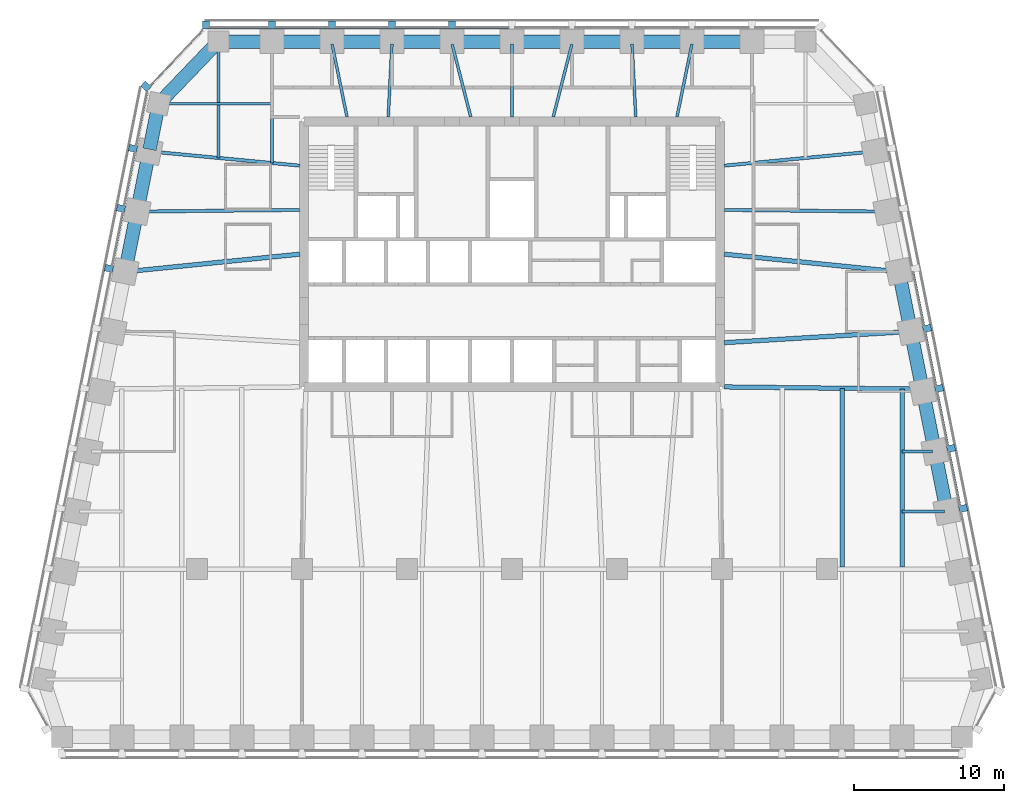
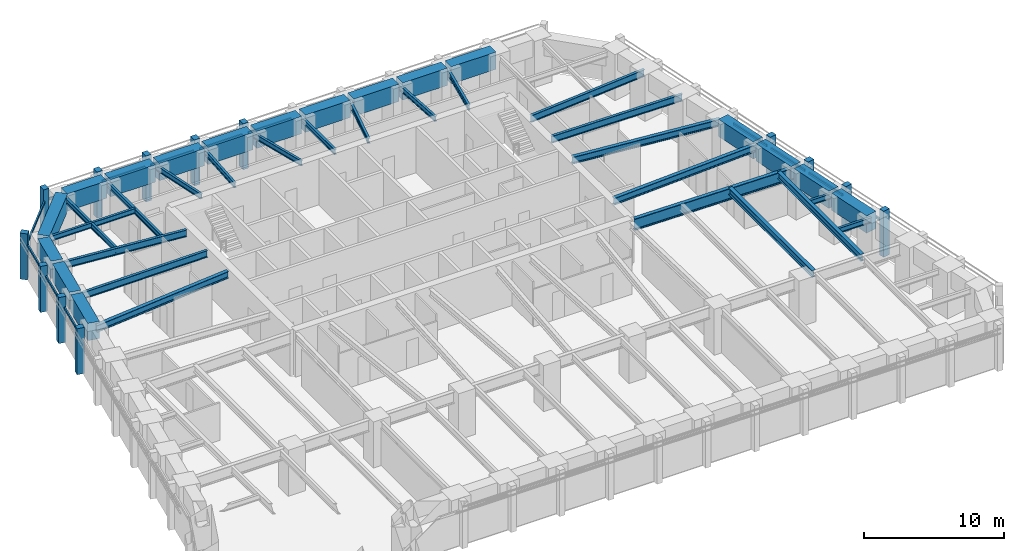
# One storey, part 3 of 10: 39 beams, 26 members, 4 elements without a shape of their own.
"""IFC4 building model written with IfcOpenShell, lengths in metres."""

from ifc_helpers import new_model, si_unit, direction, frame, origin, origin_2d, place, context, subcontext, project, spatial, rectangle, i_section, extrude, material, material_profile, profile_set, type_object, element, aggregate, save


model = new_model("IFC4")

# Units and contexts
model_context = context("Model", 3, precision=1e-05, world=origin(), true_north=direction((0.0, 1.0)))
body_context = subcontext(model_context, "Body", "Model", "MODEL_VIEW")
ifc_project = project(units=[si_unit("LENGTHUNIT", "METRE"), si_unit("AREAUNIT", "SQUARE_METRE"), si_unit("VOLUMEUNIT", "CUBIC_METRE"), si_unit("PLANEANGLEUNIT", "RADIAN"), si_unit("MASSUNIT", "GRAM", prefix="KILO")], contexts=[model_context])

# Site, building, storey
site_placement = place(None, origin())
site = spatial("IfcSite", under=ifc_project, at=site_placement, CompositionType="ELEMENT")
building_placement = place(site_placement, origin())
building = spatial("IfcBuilding", under=site, at=building_placement, Name="Isbrekke Arena Tower", CompositionType="ELEMENT")
storey_placement = place(building_placement, frame((0.0, 0.0, 222.0)))
storey = spatial("IfcBuildingStorey", under=building, at=storey_placement, Name="L51", CompositionType="ELEMENT", Elevation=222.0)

# Beams
ifc_material_1 = material(Name="Steel S355", Category="steel")
ifc_material_profile_1 = material_profile(ifc_material_1, i_section(OverallWidth=0.219970703125, OverallDepth=0.60009765625, WebThickness=0.011962890625, FlangeThickness=0.01904296875, FilletRadius=0.02392578125, at=origin_2d()), Name="IPE 600")
ifc_profile_set_1 = profile_set([ifc_material_profile_1], Name="Steel S355")
beam_type_1 = type_object("IfcBeamType", Name="B1 IPE 600", PredefinedType="BEAM", material=ifc_profile_set_1)
beam_1_placement = place(storey_placement, frame((24.83984375, 17.838134765625, 3.550048828125), z_axis=(-0.999945299061, 0.010459392202, 0.0), x_axis=(-0.010459392202, -0.999945299061, 0.0)))
element("IfcBeam", 1, at=beam_1_placement, inside=storey, type_object=beam_type_1, Name="B1 beam E-E09 L51", PredefinedType="BEAM", context=body_context, shape_type="SweptSolid", body=[
    extrude(i_section(OverallWidth=0.219970703125, OverallDepth=0.60009765625, WebThickness=0.011962890625, FlangeThickness=0.01904296875, FilletRadius=0.02392578125, at=origin_2d()), origin(), (0.0, 0.0, 1.0), 10.6904296875),
])
for number, where, z_axis, x_axis, name in (
    (2, (24.03076171875, 21.837158203125, 3.550048828125), (-0.99553133081, -0.094431823952, 0.0), (0.094431823952, -0.99553133081, 0.0), "B1 beam E-E10 L51"),
    (3, (-24.03076171875, 21.837158203125, 3.550048828125), (0.99553133081, -0.094431823952, 0.0), (0.094431823952, 0.99553133081, 0.0), "B1 beam E-W02 L51"),
):
    element("IfcBeam", number, at=place(storey_placement, frame(where, z_axis=z_axis, x_axis=x_axis)), inside=storey, type_object=beam_type_1, Name=name, PredefinedType="BEAM", context=body_context, shape_type="SweptSolid", body=[
        extrude(i_section(OverallWidth=0.219970703125, OverallDepth=0.60009765625, WebThickness=0.011962890625, FlangeThickness=0.01904296875, FilletRadius=0.02392578125, at=origin_2d()), origin(), (0.0, 0.0, 1.0), 9.92529296875),
    ])
beam_2_placement = place(storey_placement, frame((-24.83984375, 17.838134765625, 3.550048828125), z_axis=(0.999945299061, 0.010459392202, 0.0), x_axis=(-0.010459392202, 0.999945299061, 0.0)))
element("IfcBeam", 4, at=beam_2_placement, inside=storey, type_object=beam_type_1, Name="B1 beam E-W03 L51", PredefinedType="BEAM", context=body_context, shape_type="SweptSolid", body=[
    extrude(i_section(OverallWidth=0.219970703125, OverallDepth=0.60009765625, WebThickness=0.011962890625, FlangeThickness=0.01904296875, FilletRadius=0.02392578125, at=origin_2d()), origin(), (0.0, 0.0, 1.0), 10.6904296875),
])
ifc_material_2 = material(Name="Steel S355", Category="steel")
ifc_material_profile_2 = material_profile(ifc_material_2, i_section(OverallWidth=0.18994140625, OverallDepth=0.449951171875, WebThickness=0.009521484375, FlangeThickness=0.0146484375, FilletRadius=0.02099609375, at=origin_2d()), Name="IPE 450")
ifc_profile_set_2 = profile_set([ifc_material_profile_2], Name="Steel S355")
beam_type_2 = type_object("IfcBeamType", Name="B2 IPE 450", PredefinedType="BEAM", material=ifc_profile_set_2)
beam_3_placement = place(storey_placement, frame((28.841064453125, -2.161865234375, 3.625), z_axis=(-1.0, 0.0, 0.0), x_axis=(0.0, -1.0, 0.0)))
element("IfcBeam", 5, at=beam_3_placement, inside=storey, type_object=beam_type_2, Name="B2 beam E-E04 L51", PredefinedType="BEAM", context=body_context, shape_type="SweptSolid", body=[
    extrude(i_section(OverallWidth=0.18994140625, OverallDepth=0.449951171875, WebThickness=0.009521484375, FlangeThickness=0.0146484375, FilletRadius=0.02099609375, at=origin_2d()), origin(), (0.0, 0.0, 1.0), 2.841064453125),
])
beam_4_placement = place(storey_placement, frame((28.041015625, 1.838134765625, 3.625), z_axis=(-1.0, 0.0, 0.0), x_axis=(0.0, -1.0, 0.0)))
element("IfcBeam", 6, at=beam_4_placement, inside=storey, type_object=beam_type_2, Name="B2 beam E-E05 L51", PredefinedType="BEAM", context=body_context, shape_type="SweptSolid", body=[
    extrude(i_section(OverallWidth=0.18994140625, OverallDepth=0.449951171875, WebThickness=0.009521484375, FlangeThickness=0.0146484375, FilletRadius=0.02099609375, at=origin_2d()), origin(), (0.0, 0.0, 1.0), 2.041015625),
])
beam_5_placement = place(storey_placement, frame((-23.40283203125, 25.029296875, 3.625), z_axis=(1.0, 0.0, 0.0), x_axis=(0.0, 1.0, 0.0)))
element("IfcBeam", 7, at=beam_5_placement, inside=storey, type_object=beam_type_2, Name="B2 beam E-W01 L51", PredefinedType="BEAM", context=body_context, shape_type="SweptSolid", body=[
    extrude(i_section(OverallWidth=0.18994140625, OverallDepth=0.449951171875, WebThickness=0.009521484375, FlangeThickness=0.0146484375, FilletRadius=0.02099609375, at=origin_2d()), origin(), (0.0, 0.0, 1.0), 7.40283203125),
])
ifc_material_3 = material(Name="Steel S355", Category="steel")
ifc_material_profile_3 = material_profile(ifc_material_3, i_section(OverallWidth=0.18994140625, OverallDepth=0.449951171875, WebThickness=0.009521484375, FlangeThickness=0.0146484375, FilletRadius=0.02099609375, at=origin_2d()), Name="IPE 450")
ifc_profile_set_3 = profile_set([ifc_material_profile_3], Name="Steel S355")
beam_type_3 = type_object("IfcBeamType", Name="B3 IPE 450", PredefinedType="BEAM", material=ifc_profile_set_3)
beam_6_placement = place(storey_placement, frame((-16.0, 29.02490234375, 3.625), z_axis=(0.0, -1.0, 0.0), x_axis=(1.0, 0.0, 0.0)))
element("IfcBeam", 8, at=beam_6_placement, inside=storey, type_object=beam_type_3, Name="B3 beam N-N10 L51", PredefinedType="BEAM", context=body_context, shape_type="SweptSolid", body=[
    extrude(i_section(OverallWidth=0.18994140625, OverallDepth=0.449951171875, WebThickness=0.009521484375, FlangeThickness=0.0146484375, FilletRadius=0.02099609375, at=origin_2d()), origin(), (0.0, 0.0, 1.0), 7.949462890625),
])
beam_7_placement = place(storey_placement, frame((-19.574951171875, 29.02490234375, 3.625), z_axis=(0.0, -1.0, 0.0), x_axis=(1.0, 0.0, 0.0)))
element("IfcBeam", 9, at=beam_7_placement, inside=storey, type_object=beam_type_3, Name="B3 beam N-N11 L51", PredefinedType="BEAM", context=body_context, shape_type="SweptSolid", body=[
    extrude(i_section(OverallWidth=0.18994140625, OverallDepth=0.449951171875, WebThickness=0.009521484375, FlangeThickness=0.0146484375, FilletRadius=0.02099609375, at=origin_2d()), origin(), (0.0, 0.0, 1.0), 7.6103515625),
])
beam_8_placement = place(storey_placement, frame((11.99609375, 29.00634765625, 3.625), z_axis=(-0.200924755878, -0.979606677435, 0.0), x_axis=(0.979606677435, -0.200924755878, 0.0)))
element("IfcBeam", 10, at=beam_8_placement, inside=storey, type_object=beam_type_3, Name="B3 beam N-N03 L51", PredefinedType="BEAM", context=body_context, shape_type="SweptSolid", body=[
    extrude(i_section(OverallWidth=0.18994140625, OverallDepth=0.449951171875, WebThickness=0.009521484375, FlangeThickness=0.0146484375, FilletRadius=0.02099609375, at=origin_2d()), origin(), (0.0, 0.0, 1.0), 4.95751953125),
])
beam_9_placement = place(storey_placement, frame((8.000244140625, 29.02001953125, 3.625), z_axis=(0.051216032312, -0.998687597817, 0.0), x_axis=(0.998687597817, 0.051216032312, 0.0)))
element("IfcBeam", 11, at=beam_9_placement, inside=storey, type_object=beam_type_3, Name="B3 beam N-N04 L51", PredefinedType="BEAM", context=body_context, shape_type="SweptSolid", body=[
    extrude(i_section(OverallWidth=0.18994140625, OverallDepth=0.449951171875, WebThickness=0.009521484375, FlangeThickness=0.0146484375, FilletRadius=0.02099609375, at=origin_2d()), origin(), (0.0, 0.0, 1.0), 4.87646484375),
])
beam_10_placement = place(storey_placement, frame((3.994140625, 29.002197265625, 3.625), z_axis=(-0.248368314686, -0.968665670012, 0.0), x_axis=(0.968665670012, -0.248368314686, 0.0)))
element("IfcBeam", 12, at=beam_10_placement, inside=storey, type_object=beam_type_3, Name="B3 beam N-N05 L51", PredefinedType="BEAM", context=body_context, shape_type="SweptSolid", body=[
    extrude(i_section(OverallWidth=0.18994140625, OverallDepth=0.449951171875, WebThickness=0.009521484375, FlangeThickness=0.0146484375, FilletRadius=0.02099609375, at=origin_2d()), origin(), (0.0, 0.0, 1.0), 5.00927734375),
])
beam_11_placement = place(storey_placement, frame((0.0, 29.02490234375, 3.625), z_axis=(0.0, -1.0, 0.0), x_axis=(1.0, 0.0, 0.0)))
element("IfcBeam", 13, at=beam_11_placement, inside=storey, type_object=beam_type_3, Name="B3 beam N-N06 L51", PredefinedType="BEAM", context=body_context, shape_type="SweptSolid", body=[
    extrude(i_section(OverallWidth=0.18994140625, OverallDepth=0.449951171875, WebThickness=0.009521484375, FlangeThickness=0.0146484375, FilletRadius=0.02099609375, at=origin_2d()), origin(), (0.0, 0.0, 1.0), 4.875),
])
beam_12_placement = place(storey_placement, frame((-3.994140625, 29.002197265625, 3.625), z_axis=(0.248368314686, -0.968665670012, 0.0), x_axis=(0.968665670012, 0.248368314686, 0.0)))
element("IfcBeam", 14, at=beam_12_placement, inside=storey, type_object=beam_type_3, Name="B3 beam N-N07 L51", PredefinedType="BEAM", context=body_context, shape_type="SweptSolid", body=[
    extrude(i_section(OverallWidth=0.18994140625, OverallDepth=0.449951171875, WebThickness=0.009521484375, FlangeThickness=0.0146484375, FilletRadius=0.02099609375, at=origin_2d()), origin(), (0.0, 0.0, 1.0), 5.00927734375),
])
beam_13_placement = place(storey_placement, frame((-8.000244140625, 29.02001953125, 3.625), z_axis=(-0.051216032312, -0.998687597817, 0.0), x_axis=(0.998687597817, -0.051216032312, 0.0)))
element("IfcBeam", 15, at=beam_13_placement, inside=storey, type_object=beam_type_3, Name="B3 beam N-N08 L51", PredefinedType="BEAM", context=body_context, shape_type="SweptSolid", body=[
    extrude(i_section(OverallWidth=0.18994140625, OverallDepth=0.449951171875, WebThickness=0.009521484375, FlangeThickness=0.0146484375, FilletRadius=0.02099609375, at=origin_2d()), origin(), (0.0, 0.0, 1.0), 4.87646484375),
])
beam_14_placement = place(storey_placement, frame((-11.99609375, 29.00634765625, 3.625), z_axis=(0.200924755878, -0.979606677435, 0.0), x_axis=(0.979606677435, 0.200924755878, 0.0)))
element("IfcBeam", 16, at=beam_14_placement, inside=storey, type_object=beam_type_3, Name="B3 beam N-N09 L51", PredefinedType="BEAM", context=body_context, shape_type="SweptSolid", body=[
    extrude(i_section(OverallWidth=0.18994140625, OverallDepth=0.449951171875, WebThickness=0.009521484375, FlangeThickness=0.0146484375, FilletRadius=0.02099609375, at=origin_2d()), origin(), (0.0, 0.0, 1.0), 4.95751953125),
])
ifc_material_4 = material(Name="Steel S355", Category="steel")
ifc_material_profile_4 = material_profile(ifc_material_4, i_section(OverallWidth=0.300048828125, OverallDepth=0.60009765625, WebThickness=0.015380859375, FlangeThickness=0.030029296875, FilletRadius=0.027099609375, at=origin_2d()), Name="HEB 600")
ifc_profile_set_4 = profile_set([ifc_material_profile_4], Name="Steel S355")
beam_type_4 = type_object("IfcBeamType", Name="B7 HEB 600", PredefinedType="BEAM", material=ifc_profile_set_4)
beam_15_placement = place(storey_placement, frame((22.0, -5.84912109375, 3.550048828125), z_axis=(0.0, 1.0, 0.0), x_axis=(-1.0, 0.0, 0.0)))
element("IfcBeam", 17, at=beam_15_placement, inside=storey, type_object=beam_type_4, Name="B7 beam C-M13 L51", PredefinedType="BEAM", context=body_context, shape_type="SweptSolid", body=[
    extrude(i_section(OverallWidth=0.300048828125, OverallDepth=0.60009765625, WebThickness=0.015380859375, FlangeThickness=0.030029296875, FilletRadius=0.027099609375, at=origin_2d()), origin(), (0.0, 0.0, 1.0), 11.91015625),
])
beam_16_placement = place(storey_placement, frame((26.0, -5.84912109375, 3.550048828125), z_axis=(0.0, 1.0, 0.0), x_axis=(-1.0, 0.0, 0.0)))
element("IfcBeam", 18, at=beam_16_placement, inside=storey, type_object=beam_type_4, Name="B7 beam C-M14 L51", PredefinedType="BEAM", context=body_context, shape_type="SweptSolid", body=[
    extrude(i_section(OverallWidth=0.300048828125, OverallDepth=0.60009765625, WebThickness=0.015380859375, FlangeThickness=0.030029296875, FilletRadius=0.027099609375, at=origin_2d()), origin(), (0.0, 0.0, 1.0), 11.864990234375),
])
beam_17_placement = place(storey_placement, frame((26.43212890625, 9.837646484375, 3.550048828125), z_axis=(-0.998201854902, -0.059942112659, 0.0), x_axis=(0.059942112659, -0.998201854902, 0.0)))
element("IfcBeam", 19, at=beam_17_placement, inside=storey, type_object=beam_type_4, Name="B7 beam E-E07 L51", PredefinedType="BEAM", context=body_context, shape_type="SweptSolid", body=[
    extrude(i_section(OverallWidth=0.300048828125, OverallDepth=0.60009765625, WebThickness=0.015380859375, FlangeThickness=0.030029296875, FilletRadius=0.027099609375, at=origin_2d()), origin(), (0.0, 0.0, 1.0), 12.304443359375),
])
for number, where, z_axis, x_axis, name in (
    (20, (25.6259765625, 13.83984375, 3.550048828125), (-0.994928891111, 0.100580821396, 0.0), (-0.100580821396, -0.994928891111, 0.0), "B7 beam E-E08 L51"),
    (21, (-25.6259765625, 13.83984375, 3.550048828125), (0.994928891111, 0.100580821396, 0.0), (-0.100580821396, 0.994928891111, 0.0), "B7 beam E-W04 L51"),
):
    element("IfcBeam", number, at=place(storey_placement, frame(where, z_axis=z_axis, x_axis=x_axis)), inside=storey, type_object=beam_type_4, Name=name, PredefinedType="BEAM", context=body_context, shape_type="SweptSolid", body=[
        extrude(i_section(OverallWidth=0.300048828125, OverallDepth=0.60009765625, WebThickness=0.015380859375, FlangeThickness=0.030029296875, FilletRadius=0.027099609375, at=origin_2d()), origin(), (0.0, 0.0, 1.0), 11.53466796875),
    ])

# Curtain wall, members
ifc_material_5 = material(Name="Glazed aluminium curtain wall", Category="aluminium")
curtain_wall_type = type_object("IfcCurtainWallType", Name="CWH TOWER CURTAIN WALL HIGH ZONE", PredefinedType="USERDEFINED", material=ifc_material_5)
curtain_wall_1_placement = place(storey_placement, origin())
curtain_wall_1 = element("IfcCurtainWall", 22, at=curtain_wall_1_placement, inside=storey, type_object=curtain_wall_type, Name="CWH curtain wall L51-E", ObjectType="TOWER CURTAIN WALL HIGH ZONE", PredefinedType="USERDEFINED")
ifc_material_6 = material(Name="Aluminium mullion, pale brick slip cladding", Category="masonry")
ifc_material_profile_5 = material_profile(ifc_material_6, rectangle(XDim=0.449951171875, YDim=0.550048828125, at=origin_2d()), Name="PIER 450X550")
ifc_profile_set_5 = profile_set([ifc_material_profile_5], Name="Aluminium mullion, pale brick slip cladding")
member_type_1 = type_object("IfcMemberType", Name="CWH-M PIER MULLION 450 x 550", PredefinedType="MULLION", material=ifc_profile_set_5)
member_1_placement = place(storey_placement, frame((30.069580078125, -1.946044921875, 0.0), z_axis=(0.0, 0.0, 1.0), x_axis=(-0.196116135138, 0.980580675691, 0.0)))
member_1 = element("IfcMember", 23, at=member_1_placement, type_object=member_type_1, Name="CWH-M mullion 3", PredefinedType="MULLION", context=body_context, shape_type="SweptSolid", body=[
    extrude(rectangle(XDim=0.449951171875, YDim=0.550048828125, at=origin_2d()), origin(), (0.0, 0.0, 1.0), 4.0),
])
member_2_placement = place(storey_placement, frame((29.269775390625, 2.053955078125, 0.0), z_axis=(0.0, 0.0, 1.0), x_axis=(-0.196116135138, 0.980580675691, 0.0)))
member_2 = element("IfcMember", 24, at=member_2_placement, type_object=member_type_1, Name="CWH-M mullion 4", PredefinedType="MULLION", context=body_context, shape_type="SweptSolid", body=[
    extrude(rectangle(XDim=0.449951171875, YDim=0.550048828125, at=origin_2d()), origin(), (0.0, 0.0, 1.0), 4.0),
])
member_3_placement = place(storey_placement, frame((28.4697265625, 6.053955078125, 0.0), z_axis=(0.0, 0.0, 1.0), x_axis=(-0.196116135138, 0.980580675691, 0.0)))
member_3 = element("IfcMember", 25, at=member_3_placement, type_object=member_type_1, Name="CWH-M mullion 5", PredefinedType="MULLION", context=body_context, shape_type="SweptSolid", body=[
    extrude(rectangle(XDim=0.449951171875, YDim=0.550048828125, at=origin_2d()), origin(), (0.0, 0.0, 1.0), 4.0),
])
member_4_placement = place(storey_placement, frame((27.669677734375, 10.053955078125, 0.0), z_axis=(0.0, 0.0, 1.0), x_axis=(-0.196116135138, 0.980580675691, 0.0)))
member_4 = element("IfcMember", 26, at=member_4_placement, type_object=member_type_1, Name="CWH-M mullion 6", PredefinedType="MULLION", context=body_context, shape_type="SweptSolid", body=[
    extrude(rectangle(XDim=0.449951171875, YDim=0.550048828125, at=origin_2d()), origin(), (0.0, 0.0, 1.0), 4.0),
])

curtain_wall_2_placement = place(storey_placement, origin())
curtain_wall_2 = element("IfcCurtainWall", 27, at=curtain_wall_2_placement, inside=storey, type_object=curtain_wall_type, Name="CWH curtain wall L51-N", ObjectType="TOWER CURTAIN WALL HIGH ZONE", PredefinedType="USERDEFINED")
member_5_placement = place(storey_placement, frame((-4.0, 30.27490234375, 0.0), z_axis=(0.0, 0.0, 1.0), x_axis=(-1.0, 0.0, 0.0)))
member_5 = element("IfcMember", 28, at=member_5_placement, type_object=member_type_1, Name="CWH-M mullion 6", PredefinedType="MULLION", context=body_context, shape_type="SweptSolid", body=[
    extrude(rectangle(XDim=0.449951171875, YDim=0.550048828125, at=origin_2d()), origin(), (0.0, 0.0, 1.0), 4.0),
])
member_6_placement = place(storey_placement, frame((-8.0, 30.27490234375, 0.0), z_axis=(0.0, 0.0, 1.0), x_axis=(-1.0, 0.0, 0.0)))
member_6 = element("IfcMember", 29, at=member_6_placement, type_object=member_type_1, Name="CWH-M mullion 7", PredefinedType="MULLION", context=body_context, shape_type="SweptSolid", body=[
    extrude(rectangle(XDim=0.449951171875, YDim=0.550048828125, at=origin_2d()), origin(), (0.0, 0.0, 1.0), 4.0),
])
member_7_placement = place(storey_placement, frame((-12.0, 30.27490234375, 0.0), z_axis=(0.0, 0.0, 1.0), x_axis=(-1.0, 0.0, 0.0)))
member_7 = element("IfcMember", 30, at=member_7_placement, type_object=member_type_1, Name="CWH-M mullion 8", PredefinedType="MULLION", context=body_context, shape_type="SweptSolid", body=[
    extrude(rectangle(XDim=0.449951171875, YDim=0.550048828125, at=origin_2d()), origin(), (0.0, 0.0, 1.0), 4.0),
])
member_8_placement = place(storey_placement, frame((-16.0, 30.27490234375, 0.0), z_axis=(0.0, 0.0, 1.0), x_axis=(-1.0, 0.0, 0.0)))
member_8 = element("IfcMember", 31, at=member_8_placement, type_object=member_type_1, Name="CWH-M mullion 9", PredefinedType="MULLION", context=body_context, shape_type="SweptSolid", body=[
    extrude(rectangle(XDim=0.449951171875, YDim=0.550048828125, at=origin_2d()), origin(), (0.0, 0.0, 1.0), 4.0),
])
member_9_placement = place(storey_placement, frame((-20.39990234375, 30.27490234375, 0.0), z_axis=(0.0, 0.0, 1.0), x_axis=(-1.0, 0.0, 0.0)))
member_9 = element("IfcMember", 32, at=member_9_placement, type_object=member_type_1, Name="CWH-M mullion 10", PredefinedType="MULLION", context=body_context, shape_type="SweptSolid", body=[
    extrude(rectangle(XDim=0.449951171875, YDim=0.550048828125, at=origin_2d()), origin(), (0.0, 0.0, 1.0), 4.0),
])

# Curtain wall, member
curtain_wall_3_placement = place(storey_placement, origin())
curtain_wall_3 = element("IfcCurtainWall", 33, at=curtain_wall_3_placement, inside=storey, type_object=curtain_wall_type, Name="CWH curtain wall L51-NW", ObjectType="TOWER CURTAIN WALL HIGH ZONE", PredefinedType="USERDEFINED")
member_10_placement = place(storey_placement, frame((-24.3994140625, 26.189453125, 0.0), z_axis=(0.0, 0.0, 1.0), x_axis=(-0.68874946192, -0.72499943359, 0.0)))
member_10 = element("IfcMember", 34, at=member_10_placement, type_object=member_type_1, Name="CWH-M mullion 1", PredefinedType="MULLION", context=body_context, shape_type="SweptSolid", body=[
    extrude(rectangle(XDim=0.449951171875, YDim=0.550048828125, at=origin_2d()), origin(), (0.0, 0.0, 1.0), 4.0),
])

# Curtain wall, members
curtain_wall_4_placement = place(storey_placement, origin())
curtain_wall_4 = element("IfcCurtainWall", 35, at=curtain_wall_4_placement, inside=storey, type_object=curtain_wall_type, Name="CWH curtain wall L51-W", ObjectType="TOWER CURTAIN WALL HIGH ZONE", PredefinedType="USERDEFINED")
member_11_placement = place(storey_placement, frame((-25.269775390625, 22.053955078125, 0.0), z_axis=(0.0, 0.0, 1.0), x_axis=(-0.196116135138, -0.980580675691, 0.0)))
member_11 = element("IfcMember", 36, at=member_11_placement, type_object=member_type_1, Name="CWH-M mullion 1", PredefinedType="MULLION", context=body_context, shape_type="SweptSolid", body=[
    extrude(rectangle(XDim=0.449951171875, YDim=0.550048828125, at=origin_2d()), origin(), (0.0, 0.0, 1.0), 4.0),
])
member_12_placement = place(storey_placement, frame((-26.069580078125, 18.053955078125, 0.0), z_axis=(0.0, 0.0, 1.0), x_axis=(-0.196116135138, -0.980580675691, 0.0)))
member_12 = element("IfcMember", 37, at=member_12_placement, type_object=member_type_1, Name="CWH-M mullion 2", PredefinedType="MULLION", context=body_context, shape_type="SweptSolid", body=[
    extrude(rectangle(XDim=0.449951171875, YDim=0.550048828125, at=origin_2d()), origin(), (0.0, 0.0, 1.0), 4.0),
])
member_13_placement = place(storey_placement, frame((-26.86962890625, 14.053955078125, 0.0), z_axis=(0.0, 0.0, 1.0), x_axis=(-0.196116135138, -0.980580675691, 0.0)))
member_13 = element("IfcMember", 38, at=member_13_placement, type_object=member_type_1, Name="CWH-M mullion 3", PredefinedType="MULLION", context=body_context, shape_type="SweptSolid", body=[
    extrude(rectangle(XDim=0.449951171875, YDim=0.550048828125, at=origin_2d()), origin(), (0.0, 0.0, 1.0), 4.0),
])

# Member
ifc_material_7 = material(Name="Aluminium transom", Category="aluminium")
ifc_material_profile_6 = material_profile(ifc_material_7, rectangle(XDim=0.1201171875, YDim=0.199951171875, at=origin_2d()), Name="TRANSOM 120X200")
ifc_profile_set_6 = profile_set([ifc_material_profile_6], Name="Aluminium transom")
member_type_2 = type_object("IfcMemberType", Name="CWH-T TRANSOM 120 x 200", PredefinedType="USERDEFINED", material=ifc_profile_set_6)
member_14_placement = place(storey_placement, frame((29.85400390625, -1.759765625, 3.0), z_axis=(-0.196154943734, 0.980572913173, 0.0), x_axis=(-0.980572913173, -0.196154943734, 0.0)))
member_14 = element("IfcMember", 39, at=member_14_placement, type_object=member_type_2, Name="CWH-T transom 4", ObjectType="TRANSOM", PredefinedType="USERDEFINED", context=body_context, shape_type="SweptSolid", body=[
    extrude(rectangle(XDim=0.1201171875, YDim=0.199951171875, at=origin_2d()), origin(), (0.0, 0.0, 1.0), 3.62939453125),
])

member_15_placement = place(storey_placement, frame((29.053955078125, 2.240234375, 3.0), z_axis=(-0.196090262229, 0.980585849918, 0.0), x_axis=(-0.980585849918, -0.196090262229, 0.0)))
member_15 = element("IfcMember", 40, at=member_15_placement, type_object=member_type_2, Name="CWH-T transom 5", ObjectType="TRANSOM", PredefinedType="USERDEFINED", context=body_context, shape_type="SweptSolid", body=[
    extrude(rectangle(XDim=0.1201171875, YDim=0.199951171875, at=origin_2d()), origin(), (0.0, 0.0, 1.0), 3.62939453125),
])

member_16_placement = place(storey_placement, frame((28.25390625, 6.240234375, 3.0), z_axis=(-0.196090262229, 0.980585849918, 0.0), x_axis=(-0.980585849918, -0.196090262229, 0.0)))
member_16 = element("IfcMember", 41, at=member_16_placement, type_object=member_type_2, Name="CWH-T transom 6", ObjectType="TRANSOM", PredefinedType="USERDEFINED", context=body_context, shape_type="SweptSolid", body=[
    extrude(rectangle(XDim=0.1201171875, YDim=0.199951171875, at=origin_2d()), origin(), (0.0, 0.0, 1.0), 3.62939453125),
])

member_17_placement = place(storey_placement, frame((27.453857421875, 10.240234375, 3.0), z_axis=(-0.196090262229, 0.980585849918, 0.0), x_axis=(-0.980585849918, -0.196090262229, 0.0)))
member_17 = element("IfcMember", 42, at=member_17_placement, type_object=member_type_2, Name="CWH-T transom 7", ObjectType="TRANSOM", PredefinedType="USERDEFINED", context=body_context, shape_type="SweptSolid", body=[
    extrude(rectangle(XDim=0.1201171875, YDim=0.199951171875, at=origin_2d()), origin(), (0.0, 0.0, 1.0), 3.62939453125),
])

aggregate(curtain_wall_1, [member_1, member_2, member_3, member_4, member_14, member_15, member_16, member_17])

member_18_placement = place(storey_placement, frame((-0.22509765625, 30.10009765625, 3.0), z_axis=(-1.0, 0.0, 0.0), x_axis=(0.0, -1.0, 0.0)))
member_18 = element("IfcMember", 43, at=member_18_placement, type_object=member_type_2, Name="CWH-T transom 6", ObjectType="TRANSOM", PredefinedType="USERDEFINED", context=body_context, shape_type="SweptSolid", body=[
    extrude(rectangle(XDim=0.1201171875, YDim=0.199951171875, at=origin_2d()), origin(), (0.0, 0.0, 1.0), 3.5498046875),
])

member_19_placement = place(storey_placement, frame((-4.22509765625, 30.10009765625, 3.0), z_axis=(-1.0, 0.0, 0.0), x_axis=(0.0, -1.0, 0.0)))
member_19 = element("IfcMember", 44, at=member_19_placement, type_object=member_type_2, Name="CWH-T transom 7", ObjectType="TRANSOM", PredefinedType="USERDEFINED", context=body_context, shape_type="SweptSolid", body=[
    extrude(rectangle(XDim=0.1201171875, YDim=0.199951171875, at=origin_2d()), origin(), (0.0, 0.0, 1.0), 3.5498046875),
])

member_20_placement = place(storey_placement, frame((-8.22509765625, 30.10009765625, 3.0), z_axis=(-1.0, 0.0, 0.0), x_axis=(0.0, -1.0, 0.0)))
member_20 = element("IfcMember", 45, at=member_20_placement, type_object=member_type_2, Name="CWH-T transom 8", ObjectType="TRANSOM", PredefinedType="USERDEFINED", context=body_context, shape_type="SweptSolid", body=[
    extrude(rectangle(XDim=0.1201171875, YDim=0.199951171875, at=origin_2d()), origin(), (0.0, 0.0, 1.0), 3.5498046875),
])

member_21_placement = place(storey_placement, frame((-12.22509765625, 30.10009765625, 3.0), z_axis=(-1.0, 0.0, 0.0), x_axis=(0.0, -1.0, 0.0)))
member_21 = element("IfcMember", 46, at=member_21_placement, type_object=member_type_2, Name="CWH-T transom 9", ObjectType="TRANSOM", PredefinedType="USERDEFINED", context=body_context, shape_type="SweptSolid", body=[
    extrude(rectangle(XDim=0.1201171875, YDim=0.199951171875, at=origin_2d()), origin(), (0.0, 0.0, 1.0), 3.5498046875),
])

member_22_placement = place(storey_placement, frame((-16.22509765625, 30.10009765625, 3.0), z_axis=(-1.0, 0.0, 0.0), x_axis=(0.0, -1.0, 0.0)))
member_22 = element("IfcMember", 47, at=member_22_placement, type_object=member_type_2, Name="CWH-T transom 10", ObjectType="TRANSOM", PredefinedType="USERDEFINED", context=body_context, shape_type="SweptSolid", body=[
    extrude(rectangle(XDim=0.1201171875, YDim=0.199951171875, at=origin_2d()), origin(), (0.0, 0.0, 1.0), 3.949951171875),
])

aggregate(curtain_wall_2, [member_5, member_6, member_7, member_8, member_9, member_18, member_19, member_20, member_21, member_22])

member_23_placement = place(storey_placement, frame((-20.62744140625, 29.90576171875, 3.0), z_axis=(-0.688734266994, -0.725013868466, 0.0), x_axis=(0.725013868466, -0.688734266994, 0.0)))
member_23 = element("IfcMember", 48, at=member_23_placement, type_object=member_type_2, Name="CWH-T transom 1", ObjectType="TRANSOM", PredefinedType="USERDEFINED", context=body_context, shape_type="SweptSolid", body=[
    extrude(rectangle(XDim=0.1201171875, YDim=0.199951171875, at=origin_2d()), origin(), (0.0, 0.0, 1.0), 5.067138671875),
])

aggregate(curtain_wall_3, [member_10, member_23])

member_24_placement = place(storey_placement, frame((-24.34228515625, 25.799072265625, 3.0), z_axis=(-0.196090262229, -0.980585849918, 0.0), x_axis=(0.980585849918, -0.196090262229, 0.0)))
member_24 = element("IfcMember", 49, at=member_24_placement, type_object=member_type_2, Name="CWH-T transom 1", ObjectType="TRANSOM", PredefinedType="USERDEFINED", context=body_context, shape_type="SweptSolid", body=[
    extrude(rectangle(XDim=0.1201171875, YDim=0.199951171875, at=origin_2d()), origin(), (0.0, 0.0, 1.0), 3.62939453125),
])

member_25_placement = place(storey_placement, frame((-25.14208984375, 21.799072265625, 3.0), z_axis=(-0.196154943734, -0.980572913173, 0.0), x_axis=(0.980572913173, -0.196154943734, 0.0)))
member_25 = element("IfcMember", 50, at=member_25_placement, type_object=member_type_2, Name="CWH-T transom 2", ObjectType="TRANSOM", PredefinedType="USERDEFINED", context=body_context, shape_type="SweptSolid", body=[
    extrude(rectangle(XDim=0.1201171875, YDim=0.199951171875, at=origin_2d()), origin(), (0.0, 0.0, 1.0), 3.62939453125),
])

member_26_placement = place(storey_placement, frame((-25.942138671875, 17.799072265625, 3.0), z_axis=(-0.196154943734, -0.980572913173, 0.0), x_axis=(0.980572913173, -0.196154943734, 0.0)))
member_26 = element("IfcMember", 51, at=member_26_placement, type_object=member_type_2, Name="CWH-T transom 3", ObjectType="TRANSOM", PredefinedType="USERDEFINED", context=body_context, shape_type="SweptSolid", body=[
    extrude(rectangle(XDim=0.1201171875, YDim=0.199951171875, at=origin_2d()), origin(), (0.0, 0.0, 1.0), 3.62939453125),
])

aggregate(curtain_wall_4, [member_11, member_12, member_13, member_24, member_25, member_26])

# Beams
ifc_material_8 = material(Name="Steel S355", Category="steel")
ifc_material_profile_7 = material_profile(ifc_material_8, i_section(OverallWidth=0.302001953125, OverallDepth=1.008056640625, WebThickness=0.02099609375, FlangeThickness=0.0400390625, FilletRadius=0.030029296875, at=origin_2d()), Name="HEM 1000")
ifc_profile_set_7 = profile_set([ifc_material_profile_7], Name="Steel S355")
beam_type_5 = type_object("IfcBeamType", Name="G2 HEM 1000", PredefinedType="BEAM", material=ifc_profile_set_7)
beam_18_placement = place(storey_placement, frame((14.14990234375, 6.14990234375, 3.345947265625), z_axis=(0.999935908299, -0.011321629528, 0.0), x_axis=(0.011321629528, 0.999935908299, 0.0)))
element("IfcBeam", 52, at=beam_18_placement, inside=storey, type_object=beam_type_5, Name="G2 beam G2-E L51", PredefinedType="BEAM", context=body_context, shape_type="SweptSolid", body=[
    extrude(i_section(OverallWidth=0.302001953125, OverallDepth=1.008056640625, WebThickness=0.02099609375, FlangeThickness=0.0400390625, FilletRadius=0.030029296875, at=origin_2d()), origin(), (0.0, 0.0, 1.0), 13.240234375),
])
ifc_material_9 = material(Name="Concrete B65 (C65/80)", Category="concrete")
ifc_material_profile_8 = material_profile(ifc_material_9, rectangle(XDim=0.89990234375, YDim=1.5, at=origin_2d()), Name="RC 900x1500")
ifc_profile_set_8 = profile_set([ifc_material_profile_8], Name="Concrete B65 (C65/80)")
beam_type_6 = type_object("IfcBeamType", Name="SB3 RC 900 x 1500", PredefinedType="SPANDREL", material=ifc_profile_set_8)
for number, where, z_axis, x_axis, name in (
    (53, (28.961669921875, -2.0146484375, 3.25), (-0.196128558387, 0.980578190959, 0.0), (-0.980578190959, -0.196128558387, 0.0), "SB3 spandrel E04-E05 L51"),
    (54, (28.16162109375, 1.9853515625, 3.25), (-0.196128558387, 0.980578190959, 0.0), (-0.980578190959, -0.196128558387, 0.0), "SB3 spandrel E05-E06 L51"),
    (55, (27.361572265625, 5.9853515625, 3.25), (-0.196128558387, 0.980578190959, 0.0), (-0.980578190959, -0.196128558387, 0.0), "SB3 spandrel E06-E07 L51"),
):
    element("IfcBeam", number, at=place(storey_placement, frame(where, z_axis=z_axis, x_axis=x_axis)), inside=storey, type_object=beam_type_6, Name=name, PredefinedType="SPANDREL", context=body_context, shape_type="SweptSolid", body=[
        extrude(rectangle(XDim=0.89990234375, YDim=1.5, at=origin_2d()), origin(), (0.0, 0.0, 1.0), 3.779296875),
    ])
beam_19_placement = place(storey_placement, frame((26.5615234375, 9.9853515625, 3.25), z_axis=(-0.1960664412, 0.980590613169, 0.0), x_axis=(-0.980590613169, -0.1960664412, 0.0)))
element("IfcBeam", 56, at=beam_19_placement, inside=storey, type_object=beam_type_6, Name="SB3 spandrel E07-E08 L51", PredefinedType="SPANDREL", context=body_context, shape_type="SweptSolid", body=[
    extrude(rectangle(XDim=0.89990234375, YDim=1.5, at=origin_2d()), origin(), (0.0, 0.0, 1.0), 3.779052734375),
])
for number, where, z_axis, x_axis, name in (
    (57, (15.85009765625, 29.175048828125, 3.25), (-1.0, 0.0, 0.0), (0.0, -1.0, 0.0), "SB3 spandrel N02-N03 L51"),
    (58, (11.85009765625, 29.175048828125, 3.25), (-1.0, 0.0, 0.0), (0.0, -1.0, 0.0), "SB3 spandrel N03-N04 L51"),
    (59, (7.85009765625, 29.175048828125, 3.25), (-1.0, 0.0, 0.0), (0.0, -1.0, 0.0), "SB3 spandrel N04-N05 L51"),
    (60, (3.85009765625, 29.175048828125, 3.25), (-1.0, 0.0, 0.0), (0.0, -1.0, 0.0), "SB3 spandrel N05-N06 L51"),
    (61, (-0.14990234375, 29.175048828125, 3.25), (-1.0, 0.0, 0.0), (0.0, -1.0, 0.0), "SB3 spandrel N06-N07 L51"),
    (62, (-4.14990234375, 29.175048828125, 3.25), (-1.0, 0.0, 0.0), (0.0, -1.0, 0.0), "SB3 spandrel N07-N08 L51"),
    (63, (-8.14990234375, 29.175048828125, 3.25), (-1.0, 0.0, 0.0), (0.0, -1.0, 0.0), "SB3 spandrel N08-N09 L51"),
    (64, (-12.14990234375, 29.175048828125, 3.25), (-1.0, 0.0, 0.0), (0.0, -1.0, 0.0), "SB3 spandrel N09-N10 L51"),
):
    element("IfcBeam", number, at=place(storey_placement, frame(where, z_axis=z_axis, x_axis=x_axis)), inside=storey, type_object=beam_type_6, Name=name, PredefinedType="SPANDREL", context=body_context, shape_type="SweptSolid", body=[
        extrude(rectangle(XDim=0.89990234375, YDim=1.5, at=origin_2d()), origin(), (0.0, 0.0, 1.0), 3.7001953125),
    ])
beam_20_placement = place(storey_placement, frame((-16.14990234375, 29.175048828125, 3.25), z_axis=(-1.0, 0.0, 0.0), x_axis=(0.0, -1.0, 0.0)))
element("IfcBeam", 65, at=beam_20_placement, inside=storey, type_object=beam_type_6, Name="SB3 spandrel N10-N11 L51", PredefinedType="SPANDREL", context=body_context, shape_type="SweptSolid", body=[
    extrude(rectangle(XDim=0.89990234375, YDim=1.5, at=origin_2d()), origin(), (0.0, 0.0, 1.0), 3.275146484375),
])
beam_21_placement = place(storey_placement, frame((-19.678955078125, 29.066650390625, 3.25), z_axis=(-0.692339547635, -0.721571861134, 0.0), x_axis=(0.721571861134, -0.692339547635, 0.0)))
element("IfcBeam", 66, at=beam_21_placement, inside=storey, type_object=beam_type_6, Name="SB3 spandrel N11-W01 L51", PredefinedType="SPANDREL", context=body_context, shape_type="SweptSolid", body=[
    extrude(rectangle(XDim=0.89990234375, YDim=1.5, at=origin_2d()), origin(), (0.0, 0.0, 1.0), 5.4453125),
])
beam_22_placement = place(storey_placement, frame((-23.582275390625, 24.882080078125, 3.25), z_axis=(-0.196116135138, -0.980580675691, 0.0), x_axis=(0.980580675691, -0.196116135138, 0.0)))
element("IfcBeam", 67, at=beam_22_placement, inside=storey, type_object=beam_type_6, Name="SB3 spandrel W01-W02 L51", PredefinedType="SPANDREL", context=body_context, shape_type="SweptSolid", body=[
    extrude(rectangle(XDim=0.89990234375, YDim=1.5, at=origin_2d()), origin(), (0.0, 0.0, 1.0), 2.9541015625),
])
for number, where, z_axis, x_axis, name in (
    (68, (-24.220458984375, 21.691162109375, 3.25), (-0.196128558387, -0.980578190959, 0.0), (0.980578190959, -0.196128558387, 0.0), "SB3 spandrel W02-W03 L51"),
    (69, (-25.0205078125, 17.691162109375, 3.25), (-0.196128558387, -0.980578190959, 0.0), (0.980578190959, -0.196128558387, 0.0), "SB3 spandrel W03-W04 L51"),
):
    element("IfcBeam", number, at=place(storey_placement, frame(where, z_axis=z_axis, x_axis=x_axis)), inside=storey, type_object=beam_type_6, Name=name, PredefinedType="SPANDREL", context=body_context, shape_type="SweptSolid", body=[
        extrude(rectangle(XDim=0.89990234375, YDim=1.5, at=origin_2d()), origin(), (0.0, 0.0, 1.0), 3.779296875),
    ])

save(model, "model.ifc")
